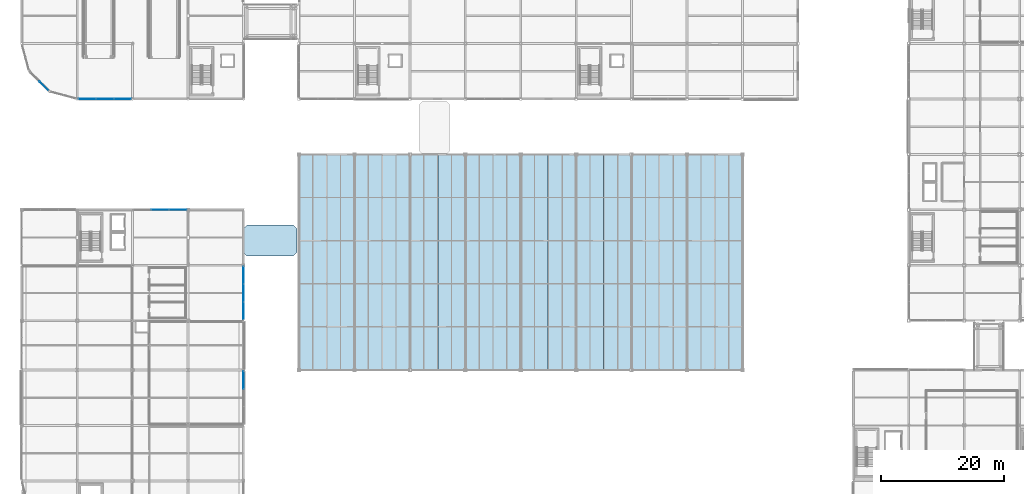
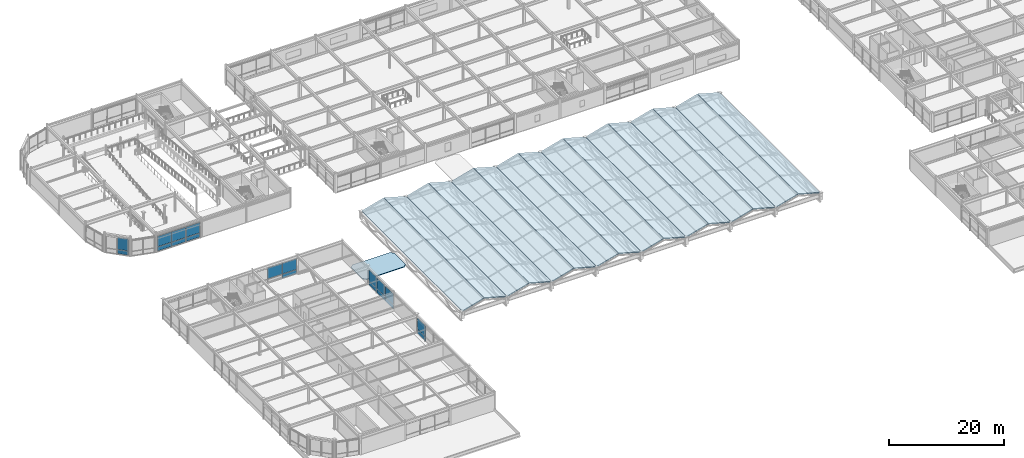
# One storey, part 64 of 108: 19 plates, 17 slabs, 5 elements without a shape of their own.
"""IFC4 building model written with IfcOpenShell, lengths in metres."""

from ifc_helpers import new_model, si_unit, direction, frame, origin, origin_2d, place, context, subcontext, project, spatial, polyline, rectangle, outline, extrude, material, layer, layer_set, type_object, element, aggregate, save


model = new_model("IFC4")

# Units and contexts
model_context = context("Model", 3, precision=1e-05, world=origin(), true_north=direction((0.0, 1.0)))
body_context = subcontext(model_context, "Body", "Model", "MODEL_VIEW")
ifc_project = project(units=[si_unit("LENGTHUNIT", "METRE"), si_unit("AREAUNIT", "SQUARE_METRE"), si_unit("VOLUMEUNIT", "CUBIC_METRE"), si_unit("PLANEANGLEUNIT", "RADIAN"), si_unit("MASSUNIT", "GRAM", prefix="KILO")], contexts=[model_context])

# Site, building, storey
site_placement = place(None, origin())
site = spatial("IfcSite", under=ifc_project, at=site_placement, CompositionType="ELEMENT")
building_placement = place(site_placement, origin())
building = spatial("IfcBuilding", under=site, at=building_placement, Name="Suzunagisa Mobility Hub", CompositionType="ELEMENT")
storey_placement = place(building_placement, frame((0.0, 0.0, 9.300048828125)))
storey = spatial("IfcBuildingStorey", under=building, at=storey_placement, Name="L02", CompositionType="ELEMENT", Elevation=9.300048828125)

# Slabs
ifc_material_1 = material(Name="Concrete C35/45", Category="concrete")
ifc_layer_1 = layer(ifc_material_1, 0.179931640625)
ifc_layer_set_1 = layer_set([ifc_layer_1], Name="Concrete C35/45")
slab_type_1 = type_object("IfcSlabType", Name="Composite Slab SL-03 180mm", PredefinedType="ROOF", material=ifc_layer_set_1)
for number, where, z_axis, x_axis, name in (
    (1, (45.034912109375, 36.0, 1.5), (-0.271160302108, 0.0, 0.962534202281), (0.962534202281, 0.0, 0.271160302108), "L02 Bus Concourse Folded-Plate Roof 1W"),
    (2, (49.534912109375, 36.0, 2.748046875), (0.271160302108, 0.0, 0.962534202281), (0.962534202281, 0.0, -0.271160302108), "L02 Bus Concourse Folded-Plate Roof 1E"),
    (3, (54.034912109375, 36.0, 1.5), (-0.271160302108, 0.0, 0.962534202281), (0.962534202281, 0.0, 0.271160302108), "L02 Bus Concourse Folded-Plate Roof 2W"),
    (4, (58.534912109375, 36.0, 2.748046875), (0.271160302108, 0.0, 0.962534202281), (0.962534202281, 0.0, -0.271160302108), "L02 Bus Concourse Folded-Plate Roof 2E"),
    (5, (63.034912109375, 36.0, 1.5), (-0.271160302108, 0.0, 0.962534202281), (0.962534202281, 0.0, 0.271160302108), "L02 Bus Concourse Folded-Plate Roof 3W"),
    (6, (67.534912109375, 36.0, 2.748046875), (0.271160302108, 0.0, 0.962534202281), (0.962534202281, 0.0, -0.271160302108), "L02 Bus Concourse Folded-Plate Roof 3E"),
    (7, (72.034912109375, 36.0, 1.5), (-0.271160302108, 0.0, 0.962534202281), (0.962534202281, 0.0, 0.271160302108), "L02 Bus Concourse Folded-Plate Roof 4W"),
    (8, (76.534912109375, 36.0, 2.748046875), (0.271160302108, 0.0, 0.962534202281), (0.962534202281, 0.0, -0.271160302108), "L02 Bus Concourse Folded-Plate Roof 4E"),
    (9, (81.034912109375, 36.0, 1.5), (-0.271160302108, 0.0, 0.962534202281), (0.962534202281, 0.0, 0.271160302108), "L02 Bus Concourse Folded-Plate Roof 5W"),
    (10, (85.534912109375, 36.0, 2.748046875), (0.271160302108, 0.0, 0.962534202281), (0.962534202281, 0.0, -0.271160302108), "L02 Bus Concourse Folded-Plate Roof 5E"),
    (11, (90.034912109375, 36.0, 1.5), (-0.271160302108, 0.0, 0.962534202281), (0.962534202281, 0.0, 0.271160302108), "L02 Bus Concourse Folded-Plate Roof 6W"),
    (12, (94.534912109375, 36.0, 2.748046875), (0.271160302108, 0.0, 0.962534202281), (0.962534202281, 0.0, -0.271160302108), "L02 Bus Concourse Folded-Plate Roof 6E"),
    (13, (99.034912109375, 36.0, 1.5), (-0.271160302108, 0.0, 0.962534202281), (0.962534202281, 0.0, 0.271160302108), "L02 Bus Concourse Folded-Plate Roof 7W"),
    (14, (103.534912109375, 36.0, 2.748046875), (0.271160302108, 0.0, 0.962534202281), (0.962534202281, 0.0, -0.271160302108), "L02 Bus Concourse Folded-Plate Roof 7E"),
    (15, (108.034912109375, 36.0, 1.5), (-0.271160302108, 0.0, 0.962534202281), (0.962534202281, 0.0, 0.271160302108), "L02 Bus Concourse Folded-Plate Roof 8W"),
    (16, (112.534912109375, 36.0, 2.748046875), (0.271160302108, 0.0, 0.962534202281), (0.962534202281, 0.0, -0.271160302108), "L02 Bus Concourse Folded-Plate Roof 8E"),
):
    element("IfcSlab", number, at=place(storey_placement, frame(where, z_axis=z_axis, x_axis=x_axis)), inside=storey, type_object=slab_type_1, Name=name, PredefinedType="ROOF", context=body_context, shape_type="SweptSolid", body=[
        extrude(outline(polyline([(0.0, 0.0), (4.602616479239968, 0.0), (4.602616479239968, 35.0), (0.0, 35.0), (0.0, 0.0)])), origin(), (0.0, 0.0, -1.0), 0.179931640625),
    ])
ifc_material_2 = material(Name="Concrete C30/37", Category="concrete")
ifc_layer_2 = layer(ifc_material_2, 0.139892578125)
ifc_layer_set_2 = layer_set([ifc_layer_2], Name="Concrete C30/37")
slab_type_2 = type_object("IfcSlabType", Name="Composite Slab SL-06 140mm", PredefinedType="ROOF", material=ifc_layer_set_2)
slab_placement = place(storey_placement, frame((0.0, 0.0, -0.14013671875)))
element("IfcSlab", 17, at=slab_placement, inside=storey, type_object=slab_type_2, Name="L02 Skybridge Canopy SB-01", PredefinedType="ROOF", context=body_context, shape_type="SweptSolid", body=[
    extrude(outline(polyline([(36.550048828125, 54.5), (44.10009765625, 54.5), (44.64990234375, 55.050048828125), (44.64990234375, 58.949951171875), (44.10009765625, 59.5), (36.550048828125, 59.5), (36.0, 58.949951171875), (36.0, 55.050048828125), (36.550048828125, 54.5)])), origin(), (0.0, 0.0, 1.0), 0.14013671875),
])

# Curtain wall, plates
ifc_material_3 = material(Name="Thermally Broken Anodized Aluminum and Low-E Glazing", Category="aluminium")
curtain_wall_type_1 = type_object("IfcCurtainWallType", Name="Unitised Curtain Wall CW-12 8750x3300", PredefinedType="USERDEFINED", material=ifc_material_3)
curtain_wall_1_placement = place(storey_placement, origin())
curtain_wall_1 = element("IfcCurtainWall", 18, at=curtain_wall_1_placement, inside=storey, type_object=curtain_wall_type_1, Name="L02 Unitised Curtain Wall CW-27", ObjectType="UNITISED CURTAIN WALL", PredefinedType="USERDEFINED")
ifc_material_4 = material(Name="Low-E Solar-Control Double Glazing", Category="glass")
ifc_layer_3 = layer(ifc_material_4, 0.028076171875)
ifc_layer_set_3 = layer_set([ifc_layer_3], Name="Low-E Solar-Control Double Glazing")
plate_type = type_object("IfcPlateType", Name="Low-E Double Glazed Curtain Panel GP-01 28mm", PredefinedType="CURTAIN_PANEL", material=ifc_layer_set_3)
plate_1_placement = place(storey_placement, frame((36.0, 34.388427734375, 0.06298828125), z_axis=(0.0, 0.0, 1.0), x_axis=(0.0, 1.0, 0.0)))
plate_1 = element("IfcPlate", 19, at=plate_1_placement, type_object=plate_type, Name="Curtain Wall Glazing Panel 27-P3.1", PredefinedType="CURTAIN_PANEL", context=body_context, shape_type="SweptSolid", body=[
    extrude(rectangle(XDim=2.807373046875, YDim=0.028076171875, at=origin_2d()), origin(), (0.0, 0.0, 1.0), 0.8564453125),
])
plate_2_placement = place(storey_placement, frame((36.0, 34.388427734375, 0.98046875), z_axis=(0.0, 0.0, 1.0), x_axis=(0.0, 1.0, 0.0)))
plate_2 = element("IfcPlate", 20, at=plate_2_placement, type_object=plate_type, Name="Curtain Wall Glazing Panel 27-P3.2", PredefinedType="CURTAIN_PANEL", context=body_context, shape_type="SweptSolid", body=[
    extrude(rectangle(XDim=2.807373046875, YDim=0.028076171875, at=origin_2d()), origin(), (0.0, 0.0, 1.0), 2.28857421875),
])
aggregate(curtain_wall_1, [plate_1, plate_2])

curtain_wall_2_placement = place(storey_placement, origin())
curtain_wall_2 = element("IfcCurtainWall", 21, at=curtain_wall_2_placement, inside=storey, type_object=curtain_wall_type_1, Name="L02 Unitised Curtain Wall CW-28", ObjectType="UNITISED CURTAIN WALL", PredefinedType="USERDEFINED")
plate_3_placement = place(storey_placement, frame((36.0, 45.631591796875, 0.06298828125), z_axis=(0.0, 0.0, 1.0), x_axis=(0.0, 1.0, 0.0)))
plate_3 = element("IfcPlate", 22, at=plate_3_placement, type_object=plate_type, Name="Curtain Wall Glazing Panel 28-P1.1", PredefinedType="CURTAIN_PANEL", context=body_context, shape_type="SweptSolid", body=[
    extrude(rectangle(XDim=2.807373046875, YDim=0.028076171875, at=origin_2d()), origin(), (0.0, 0.0, 1.0), 0.8564453125),
])
plate_4_placement = place(storey_placement, frame((36.0, 45.631591796875, 0.98046875), z_axis=(0.0, 0.0, 1.0), x_axis=(0.0, 1.0, 0.0)))
plate_4 = element("IfcPlate", 23, at=plate_4_placement, type_object=plate_type, Name="Curtain Wall Glazing Panel 28-P1.2", PredefinedType="CURTAIN_PANEL", context=body_context, shape_type="SweptSolid", body=[
    extrude(rectangle(XDim=2.807373046875, YDim=0.028076171875, at=origin_2d()), origin(), (0.0, 0.0, 1.0), 2.28857421875),
])
plate_5_placement = place(storey_placement, frame((36.0, 48.510009765625, 0.06298828125), z_axis=(0.0, 0.0, 1.0), x_axis=(0.0, 1.0, 0.0)))
plate_5 = element("IfcPlate", 24, at=plate_5_placement, type_object=plate_type, Name="Curtain Wall Glazing Panel 28-P2.1", PredefinedType="CURTAIN_PANEL", context=body_context, shape_type="SweptSolid", body=[
    extrude(rectangle(XDim=2.83740234375, YDim=0.028076171875, at=origin_2d()), origin(), (0.0, 0.0, 1.0), 0.8564453125),
])
plate_6_placement = place(storey_placement, frame((36.0, 48.510009765625, 0.98046875), z_axis=(0.0, 0.0, 1.0), x_axis=(0.0, 1.0, 0.0)))
plate_6 = element("IfcPlate", 25, at=plate_6_placement, type_object=plate_type, Name="Curtain Wall Glazing Panel 28-P2.2", PredefinedType="CURTAIN_PANEL", context=body_context, shape_type="SweptSolid", body=[
    extrude(rectangle(XDim=2.83740234375, YDim=0.028076171875, at=origin_2d()), origin(), (0.0, 0.0, 1.0), 2.28857421875),
])
plate_7_placement = place(storey_placement, frame((36.0, 51.388427734375, 0.06298828125), z_axis=(0.0, 0.0, 1.0), x_axis=(0.0, 1.0, 0.0)))
plate_7 = element("IfcPlate", 26, at=plate_7_placement, type_object=plate_type, Name="Curtain Wall Glazing Panel 28-P3.1", PredefinedType="CURTAIN_PANEL", context=body_context, shape_type="SweptSolid", body=[
    extrude(rectangle(XDim=2.807373046875, YDim=0.028076171875, at=origin_2d()), origin(), (0.0, 0.0, 1.0), 0.8564453125),
])
plate_8_placement = place(storey_placement, frame((36.0, 51.388427734375, 0.98046875), z_axis=(0.0, 0.0, 1.0), x_axis=(0.0, 1.0, 0.0)))
plate_8 = element("IfcPlate", 27, at=plate_8_placement, type_object=plate_type, Name="Curtain Wall Glazing Panel 28-P3.2", PredefinedType="CURTAIN_PANEL", context=body_context, shape_type="SweptSolid", body=[
    extrude(rectangle(XDim=2.807373046875, YDim=0.028076171875, at=origin_2d()), origin(), (0.0, 0.0, 1.0), 2.28857421875),
])
aggregate(curtain_wall_2, [plate_3, plate_4, plate_5, plate_6, plate_7, plate_8])

curtain_wall_3_placement = place(storey_placement, origin())
curtain_wall_3 = element("IfcCurtainWall", 28, at=curtain_wall_3_placement, inside=storey, type_object=curtain_wall_type_1, Name="L02 Unitised Curtain Wall CW-29", ObjectType="UNITISED CURTAIN WALL", PredefinedType="USERDEFINED")
plate_9_placement = place(storey_placement, frame((25.36083984375, 62.0, 0.06298828125), z_axis=(0.0, 0.0, 1.0), x_axis=(-1.0, 0.0, 0.0)))
plate_9 = element("IfcPlate", 29, at=plate_9_placement, type_object=plate_type, Name="Curtain Wall Glazing Panel 29-P1.1", PredefinedType="CURTAIN_PANEL", context=body_context, shape_type="SweptSolid", body=[
    extrude(rectangle(XDim=2.862548828125, YDim=0.028076171875, at=origin_2d()), origin(), (0.0, 0.0, 1.0), 0.8564453125),
])
plate_10_placement = place(storey_placement, frame((25.36083984375, 62.0, 0.98046875), z_axis=(0.0, 0.0, 1.0), x_axis=(-1.0, 0.0, 0.0)))
plate_10 = element("IfcPlate", 30, at=plate_10_placement, type_object=plate_type, Name="Curtain Wall Glazing Panel 29-P1.2", PredefinedType="CURTAIN_PANEL", context=body_context, shape_type="SweptSolid", body=[
    extrude(rectangle(XDim=2.862548828125, YDim=0.028076171875, at=origin_2d()), origin(), (0.0, 0.0, 1.0), 2.28857421875),
])
plate_11_placement = place(storey_placement, frame((22.42724609375, 62.0, 0.98046875), z_axis=(0.0, 0.0, 1.0), x_axis=(-1.0, 0.0, 0.0)))
plate_11 = element("IfcPlate", 31, at=plate_11_placement, type_object=plate_type, Name="Curtain Wall Glazing Panel 29-P2.2", PredefinedType="CURTAIN_PANEL", context=body_context, shape_type="SweptSolid", body=[
    extrude(rectangle(XDim=2.892578125, YDim=0.028076171875, at=origin_2d()), origin(), (0.0, 0.0, 1.0), 2.28857421875),
])
aggregate(curtain_wall_3, [plate_9, plate_10, plate_11])

curtain_wall_type_2 = type_object("IfcCurtainWallType", Name="Unitised Curtain Wall CW-44 4250x3600", PredefinedType="USERDEFINED", material=ifc_material_3)
curtain_wall_4_placement = place(storey_placement, origin())
curtain_wall_4 = element("IfcCurtainWall", 32, at=curtain_wall_4_placement, inside=storey, type_object=curtain_wall_type_2, Name="L02 Unitised Curtain Wall CW-64", ObjectType="UNITISED CURTAIN WALL", PredefinedType="USERDEFINED")
plate_12_placement = place(storey_placement, frame((3.576904296875, 82.12890625, 0.05810546875), z_axis=(0.0, 0.0, 1.0), x_axis=(0.707106781187, -0.707106781187, 0.0)))
plate_12 = element("IfcPlate", 33, at=plate_12_placement, type_object=plate_type, Name="Curtain Wall Glazing Panel 64-P2.1", PredefinedType="CURTAIN_PANEL", context=body_context, shape_type="SweptSolid", body=[
    extrude(rectangle(XDim=1.991943359375, YDim=0.028076171875, at=origin_2d()), origin(), (0.0, 0.0, 1.0), 0.864013671875),
])
plate_13_placement = place(storey_placement, frame((3.576904296875, 82.12890625, 0.97802734375), z_axis=(0.0, 0.0, 1.0), x_axis=(0.707106781187, -0.707106781187, 0.0)))
plate_13 = element("IfcPlate", 34, at=plate_13_placement, type_object=plate_type, Name="Curtain Wall Glazing Panel 64-P2.2", PredefinedType="CURTAIN_PANEL", context=body_context, shape_type="SweptSolid", body=[
    extrude(rectangle(XDim=1.991943359375, YDim=0.028076171875, at=origin_2d()), origin(), (0.0, 0.0, 1.0), 2.513916015625),
])
aggregate(curtain_wall_4, [plate_12, plate_13])

curtain_wall_type_3 = type_object("IfcCurtainWallType", Name="Unitised Curtain Wall CW-13 8750x3200", PredefinedType="USERDEFINED", material=ifc_material_3)
curtain_wall_5_placement = place(storey_placement, origin())
curtain_wall_5 = element("IfcCurtainWall", 35, at=curtain_wall_5_placement, inside=storey, type_object=curtain_wall_type_3, Name="L02 Unitised Curtain Wall CW-66", ObjectType="UNITISED CURTAIN WALL", PredefinedType="USERDEFINED")
plate_14_placement = place(storey_placement, frame((10.633544921875, 80.0, 0.06298828125), z_axis=(0.0, 0.0, 1.0), x_axis=(1.0, 0.0, 0.0)))
plate_14 = element("IfcPlate", 36, at=plate_14_placement, type_object=plate_type, Name="Curtain Wall Glazing Panel 66-P1.1", PredefinedType="CURTAIN_PANEL", context=body_context, shape_type="SweptSolid", body=[
    extrude(rectangle(XDim=2.79541015625, YDim=0.028076171875, at=origin_2d()), origin(), (0.0, 0.0, 1.0), 0.8564453125),
])
plate_15_placement = place(storey_placement, frame((10.633544921875, 80.0, 0.98046875), z_axis=(0.0, 0.0, 1.0), x_axis=(1.0, 0.0, 0.0)))
plate_15 = element("IfcPlate", 37, at=plate_15_placement, type_object=plate_type, Name="Curtain Wall Glazing Panel 66-P1.2", PredefinedType="CURTAIN_PANEL", context=body_context, shape_type="SweptSolid", body=[
    extrude(rectangle(XDim=2.79541015625, YDim=0.028076171875, at=origin_2d()), origin(), (0.0, 0.0, 1.0), 2.20654296875),
])
plate_16_placement = place(storey_placement, frame((13.5, 80.0, 0.06298828125), z_axis=(0.0, 0.0, 1.0), x_axis=(1.0, 0.0, 0.0)))
plate_16 = element("IfcPlate", 38, at=plate_16_placement, type_object=plate_type, Name="Curtain Wall Glazing Panel 66-P2.1", PredefinedType="CURTAIN_PANEL", context=body_context, shape_type="SweptSolid", body=[
    extrude(rectangle(XDim=2.825439453125, YDim=0.028076171875, at=origin_2d()), origin(), (0.0, 0.0, 1.0), 0.8564453125),
])
plate_17_placement = place(storey_placement, frame((13.5, 80.0, 0.98046875), z_axis=(0.0, 0.0, 1.0), x_axis=(1.0, 0.0, 0.0)))
plate_17 = element("IfcPlate", 39, at=plate_17_placement, type_object=plate_type, Name="Curtain Wall Glazing Panel 66-P2.2", PredefinedType="CURTAIN_PANEL", context=body_context, shape_type="SweptSolid", body=[
    extrude(rectangle(XDim=2.825439453125, YDim=0.028076171875, at=origin_2d()), origin(), (0.0, 0.0, 1.0), 2.20654296875),
])
plate_18_placement = place(storey_placement, frame((16.366455078125, 80.0, 0.06298828125), z_axis=(0.0, 0.0, 1.0), x_axis=(1.0, 0.0, 0.0)))
plate_18 = element("IfcPlate", 40, at=plate_18_placement, type_object=plate_type, Name="Curtain Wall Glazing Panel 66-P3.1", PredefinedType="CURTAIN_PANEL", context=body_context, shape_type="SweptSolid", body=[
    extrude(rectangle(XDim=2.79541015625, YDim=0.028076171875, at=origin_2d()), origin(), (0.0, 0.0, 1.0), 0.8564453125),
])
plate_19_placement = place(storey_placement, frame((16.366455078125, 80.0, 0.98046875), z_axis=(0.0, 0.0, 1.0), x_axis=(1.0, 0.0, 0.0)))
plate_19 = element("IfcPlate", 41, at=plate_19_placement, type_object=plate_type, Name="Curtain Wall Glazing Panel 66-P3.2", PredefinedType="CURTAIN_PANEL", context=body_context, shape_type="SweptSolid", body=[
    extrude(rectangle(XDim=2.79541015625, YDim=0.028076171875, at=origin_2d()), origin(), (0.0, 0.0, 1.0), 2.20654296875),
])
aggregate(curtain_wall_5, [plate_14, plate_15, plate_16, plate_17, plate_18, plate_19])

save(model, "model.ifc")
